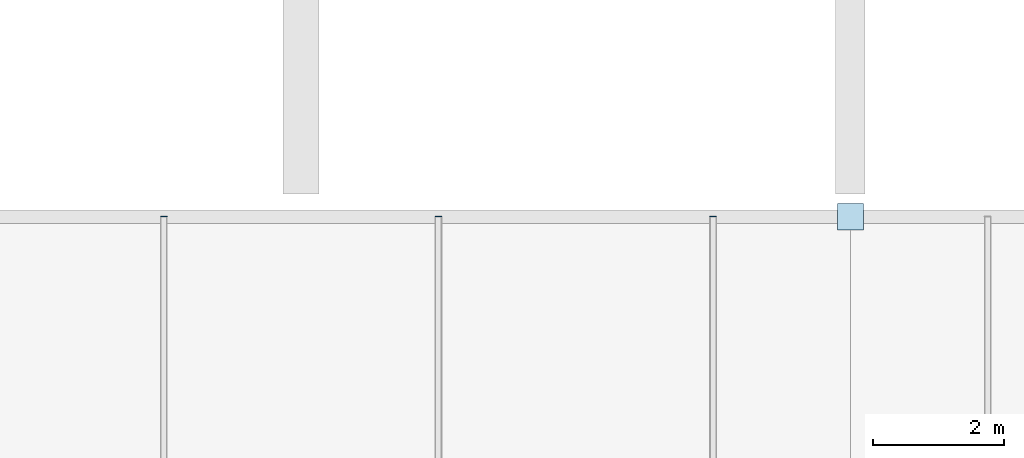
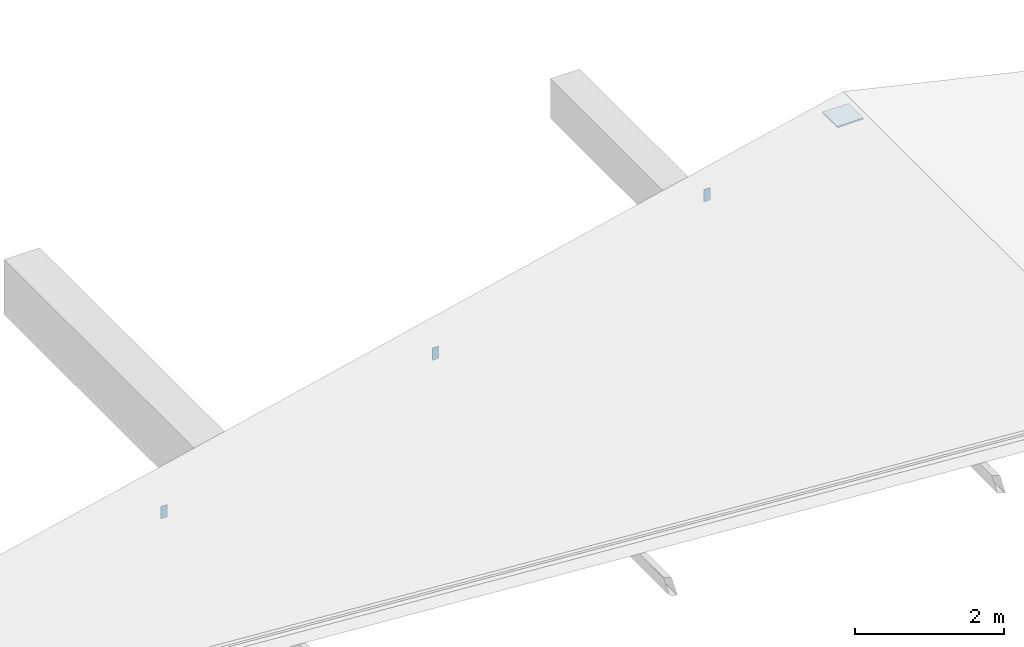
# One storey, part 23 of 42: 4 plates.
"""IFC4 building model written with IfcOpenShell, lengths in metres."""

import ifcopenshell
import ifcopenshell.guid

model = None  # the IFC model being written
_history = None  # IfcOwnerHistory: only IFC2X3 demands one
_inside = {}  # id of a spatial element -> (the spatial element, [elements in it])
_under = {}  # id of a project, library or spatial element -> (it, [spatial elements below it])
_declared = {}  # id of a project -> (the project, [libraries it declares])
_typed = {}  # id of a type object -> (the type object, [elements of that type])
_made_of = {}  # id of a material, layer set ... -> (it, [elements and type objects made of it])


def new_model(schema):
    """Start an empty IFC model of exactly this schema.

    Asked for "IFC4X3", IfcOpenShell would pick the latest addendum, in which some entities
    have other attributes; the version numbers below select the first issue.
    IFC2X3 requires an IfcOwnerHistory on every rooted entity: one is made here for all.
    """
    global model, _history
    if schema == "IFC4X3":
        model = ifcopenshell.file(schema_version=(4, 3, 0, 0))
    else:
        model = ifcopenshell.file(schema=schema)
    _inside.clear()
    _under.clear()
    _declared.clear()
    _typed.clear()
    _made_of.clear()
    _history = None
    if model.schema == "IFC2X3":
        org = make("IfcOrganization", Name="unknown")
        user = make(
            "IfcPersonAndOrganization",
            ThePerson=make("IfcPerson", FamilyName="unknown"),
            TheOrganization=org,
        )
        app = make(
            "IfcApplication",
            ApplicationDeveloper=org,
            Version="unknown",
            ApplicationFullName="unknown",
            ApplicationIdentifier="unknown",
        )
        _history = make(
            "IfcOwnerHistory",
            OwningUser=user,
            OwningApplication=app,
            ChangeAction="ADDED",
            CreationDate=0,
        )
    return model


def make(cls, **values):
    """One entity of the class cls with the attributes given. An attribute that is None is left unset."""
    return model.create_entity(
        cls, **{name: value for name, value in values.items() if value is not None}
    )


def rooted(cls, **values):
    """An entity with a GlobalId (a new one), such as an element, a storey or a relation."""
    return make(cls, GlobalId=ifcopenshell.guid.new(), OwnerHistory=_history, **values)


def si_unit(unit_type, name, prefix=None):
    """IfcSIUnit, for example si_unit("LENGTHUNIT", "METRE", prefix="MILLI")."""
    return make("IfcSIUnit", UnitType=unit_type, Prefix=prefix, Name=name)


def derived_unit(unit_type, elements):
    """IfcDerivedUnit: a product of units, each with its exponent."""
    return make(
        "IfcDerivedUnit",
        Elements=[
            make("IfcDerivedUnitElement", Unit=unit, Exponent=power)
            for unit, power in elements
        ],
        UnitType=unit_type,
    )


def assignment(units):
    """IfcUnitAssignment: the units of a project."""
    return None if units is None else make("IfcUnitAssignment", Units=units)


def point(xyz):
    """IfcCartesianPoint."""
    return None if xyz is None else make("IfcCartesianPoint", Coordinates=xyz)


def direction(xyz):
    """IfcDirection."""
    return None if xyz is None else make("IfcDirection", DirectionRatios=xyz)


def frame(location, z_axis=None, x_axis=None):
    """IfcAxis2Placement3D, a coordinate frame: its origin and axes. An axis left out is left unset."""
    return make(
        "IfcAxis2Placement3D",
        Location=point(location),
        Axis=direction(z_axis),
        RefDirection=direction(x_axis),
    )


def frame_2d(location, x_axis=None):
    """IfcAxis2Placement2D, a coordinate frame in the plane: its origin and x axis."""
    return make(
        "IfcAxis2Placement2D", Location=point(location), RefDirection=direction(x_axis)
    )


def origin():
    """The frame at (0, 0, 0) with its axes left unset."""
    return frame((0.0, 0.0, 0.0))


def origin_2d():
    """The frame at (0, 0) in the plane with its x axis left unset."""
    return frame_2d((0.0, 0.0))


def place(relative_to, where):
    """IfcLocalPlacement: puts the frame where relative to a parent placement (None: the world)."""
    return make(
        "IfcLocalPlacement", PlacementRelTo=relative_to, RelativePlacement=where
    )


def context(
    kind, dimensions, precision=None, world=None, true_north=None, identifier=None
):
    """IfcGeometricRepresentationContext, for example the 3D "Model" context."""
    return make(
        "IfcGeometricRepresentationContext",
        ContextIdentifier=identifier,
        ContextType=kind,
        CoordinateSpaceDimension=dimensions,
        Precision=precision,
        WorldCoordinateSystem=world,
        TrueNorth=true_north,
    )


def subcontext(parent, identifier, kind, view, scale=None):
    """IfcGeometricRepresentationSubContext, for example "Body" below "Model"."""
    return make(
        "IfcGeometricRepresentationSubContext",
        ContextIdentifier=identifier,
        ContextType=kind,
        ParentContext=parent,
        TargetScale=scale,
        TargetView=view,
    )


def project(units=None, contexts=None):
    """IfcProject with its units and contexts."""
    return rooted(
        "IfcProject",
        Name="project",
        RepresentationContexts=contexts,
        UnitsInContext=assignment(units),
    )


def spatial(cls, under=None, at=None, **own):
    """A site, building, storey or space (cls), placed at a placement, below another one or the project."""
    s = rooted(cls, ObjectPlacement=at, **own)
    if under is not None:
        _under.setdefault(under.id(), (under, []))[1].append(s)
    return s


def profile(cls, at=None, kind="AREA", **sizes):
    """A parametric profile (cls). Its sizes go by their IFC names, for example OverallWidth=200.0."""
    return make(cls, ProfileType=kind, Position=at, **sizes)


def rectangle(**sizes):
    """IfcRectangleProfileDef."""
    return profile("IfcRectangleProfileDef", **sizes)


def extrude(swept, where, along, depth):
    """IfcExtrudedAreaSolid: the profile swept, set in the frame where, extruded along a direction by depth."""
    return make(
        "IfcExtrudedAreaSolid",
        SweptArea=swept,
        Position=where,
        ExtrudedDirection=direction(along),
        Depth=depth,
    )


def shape(context_of_items, identifier, shape_type, items):
    """IfcShapeRepresentation: the items that make up one representation, for example the "Body"."""
    return make(
        "IfcShapeRepresentation",
        ContextOfItems=context_of_items,
        RepresentationIdentifier=identifier,
        RepresentationType=shape_type,
        Items=items,
    )


def material(Name=None, Category=None):
    """IfcMaterial."""
    return make("IfcMaterial", Name=Name, Category=Category)


def layer(
    of_material, thickness, ventilated=None, Name=None, Category=None, Priority=None
):
    """IfcMaterialLayer: one layer of a wall or slab, of a material (None: an air gap)."""
    return make(
        "IfcMaterialLayer",
        Material=of_material,
        LayerThickness=thickness,
        IsVentilated=ventilated,
        Name=Name,
        Category=Category,
        Priority=Priority,
    )


def layer_set(layers, Name=None):
    """IfcMaterialLayerSet."""
    return make("IfcMaterialLayerSet", MaterialLayers=layers, LayerSetName=Name)


def made_of(thing, what):
    """Note that an element or type object is made of a material, layer set ...; save() writes the relation."""
    if what is not None:
        _made_of.setdefault(what.id(), (what, []))[1].append(thing)
    return thing


def type_object(cls, material=None, **own):
    """A type object (cls), such as IfcWallType, which elements share."""
    return made_of(rooted(cls, **own), material)


def element(
    cls,
    number,
    at=None,
    inside=None,
    cuts=None,
    type_object=None,
    material=None,
    context=None,
    identifier="Body",
    shape_type=None,
    held_by="IfcProductDefinitionShape",
    body=None,
    shapes=None,
    **own,
):
    """One element of the class cls, such as IfcWall. Its Tag is "e" and its number.

    at: its placement. inside: the storey or other place that contains it. cuts: it is an
    opening in that element (IfcRelVoidsElement). A single representation is given by context,
    identifier, shape_type and body (its items); several are given by shapes. held_by: the class
    of the entity that holds the representations. save() writes the other relations.
    """
    e = rooted(cls, Tag="e%d" % number, ObjectPlacement=at, **own)
    if body is not None:
        shapes = [shape(context, identifier, shape_type, body)]
    if shapes is not None:
        e.Representation = make(held_by, Representations=shapes)
    if inside is not None:
        _inside.setdefault(inside.id(), (inside, []))[1].append(e)
    if cuts is not None:
        rooted(
            "IfcRelVoidsElement", RelatingBuildingElement=cuts, RelatedOpeningElement=e
        )
    if type_object is not None:
        _typed.setdefault(type_object.id(), (type_object, []))[1].append(e)
    return made_of(e, material)


def aggregate(whole, parts):
    """IfcRelAggregates: a whole, such as a stair, and the parts it consists of."""
    return rooted("IfcRelAggregates", RelatingObject=whole, RelatedObjects=parts)


def save(model, path):
    """Write the relations noted so far, then the file.

    IfcRelAggregates (storeys below a building ...), IfcRelContainedInSpatialStructure (elements
    in a storey), IfcRelDefinesByType, IfcRelAssociatesMaterial and IfcRelDeclares: one each for
    every whole, place, type object, material and project.
    """
    for whole, parts in _under.values():
        aggregate(whole, parts)
    for where, things in _inside.values():
        rooted(
            "IfcRelContainedInSpatialStructure",
            RelatedElements=things,
            RelatingStructure=where,
        )
    for kind, things in _typed.values():
        rooted("IfcRelDefinesByType", RelatedObjects=things, RelatingType=kind)
    for what, things in _made_of.values():
        rooted("IfcRelAssociatesMaterial", RelatedObjects=things, RelatingMaterial=what)
    for by, libraries in _declared.values():
        rooted("IfcRelDeclares", RelatingContext=by, RelatedDefinitions=libraries)
    model.write(path)


model = new_model("IFC4")

# Units and contexts
model_context = context("Model", 3, precision=1e-05, world=origin(), true_north=direction((0.0, 1.0)))
body_context = subcontext(model_context, "Body", "Model", "MODEL_VIEW")
ifc_project = project(units=[si_unit("LENGTHUNIT", "METRE"), si_unit("AREAUNIT", "SQUARE_METRE"), si_unit("VOLUMEUNIT", "CUBIC_METRE"), si_unit("PLANEANGLEUNIT", "RADIAN"), si_unit("MASSUNIT", "GRAM", prefix="KILO"), derived_unit("THERMALTRANSMITTANCEUNIT", [(si_unit("POWERUNIT", "WATT"), 1), (si_unit("LENGTHUNIT", "METRE"), -2), (si_unit("THERMODYNAMICTEMPERATUREUNIT", "KELVIN"), -1)])], contexts=[model_context])

# Site, building, storey
site_placement = place(None, origin())
site = spatial("IfcSite", under=ifc_project, at=site_placement, CompositionType="ELEMENT")
building_placement = place(site_placement, origin())
building = spatial("IfcBuilding", under=site, at=building_placement, Name="Barrovel Congress Hotel", CompositionType="ELEMENT")
storey_placement = place(building_placement, frame((0.0, 0.0, 18.300048828125)))
storey = spatial("IfcBuildingStorey", under=building, at=storey_placement, Name="L04", CompositionType="ELEMENT", Elevation=18.300048828125)

# Plates
ifc_material = material(Name="Steel ASTM A992 Grade 50", Category="steel")
ifc_layer_1 = layer(ifc_material, 0.010009765625)
ifc_layer_set_1 = layer_set([ifc_layer_1], Name="Steel ASTM A992 Grade 50")
plate_type_1 = type_object("IfcPlateType", Name="EC-10", PredefinedType="SHEET", material=ifc_layer_set_1)
for number, where, z_axis, x_axis, name in (
    (1, (6.300048828125, 105.0048828125, 0.6298828125), (0.0, 0.0, 1.0), (0.0, 1.0, 0.0), "End Cap Plate SF-PUR:1:7 end"),
    (2, (10.5, 105.0048828125, 1.751220703125), (0.0, 0.0, 1.0), (0.0, 1.0, 0.0), "End Cap Plate SF-PUR:2:7 end"),
    (3, (14.699951171875, 105.0048828125, 2.8720703125), (0.0, 0.0, 1.0), (0.0, 1.0, 0.0), "End Cap Plate SF-PUR:3:7 end"),
):
    element("IfcPlate", number, at=place(storey_placement, frame(where, z_axis=z_axis, x_axis=x_axis)), inside=storey, type_object=plate_type_1, Name=name, PredefinedType="SHEET", context=body_context, shape_type="SweptSolid", body=[
        extrude(rectangle(XDim=0.010009765625, YDim=0.1015625, at=origin_2d()), origin(), (0.0, 0.0, 1.0), 0.203125),
    ])
ifc_layer_2 = layer(ifc_material, 0.02392578125)
ifc_layer_set_2 = layer_set([ifc_layer_2], Name="Steel ASTM A992 Grade 50")
plate_type_2 = type_object("IfcPlateType", Name="GP-24", PredefinedType="SHEET", material=ifc_layer_set_2)
plate_placement = place(storey_placement, frame((16.800048828125, 105.0, 3.5224609375), z_axis=(0.0, 0.0, 1.0), x_axis=(1.0, 0.0, 0.0)))
element("IfcPlate", 4, at=plate_placement, inside=storey, type_object=plate_type_2, Name="V1-RAF-GP:8", PredefinedType="SHEET", context=body_context, shape_type="SweptSolid", body=[
    extrude(rectangle(XDim=0.39990234375, YDim=0.39990234375, at=origin_2d()), origin(), (0.0, 0.0, 1.0), 0.02392578125),
])

save(model, "model.ifc")
